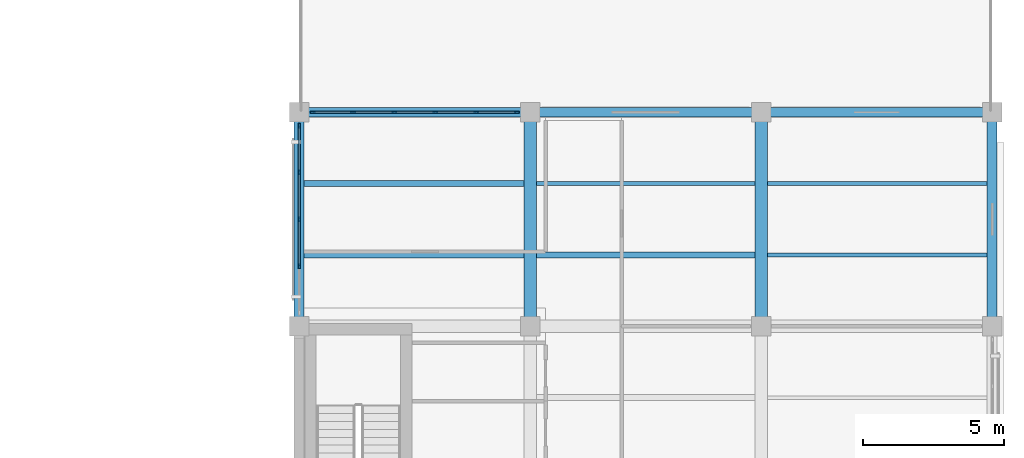
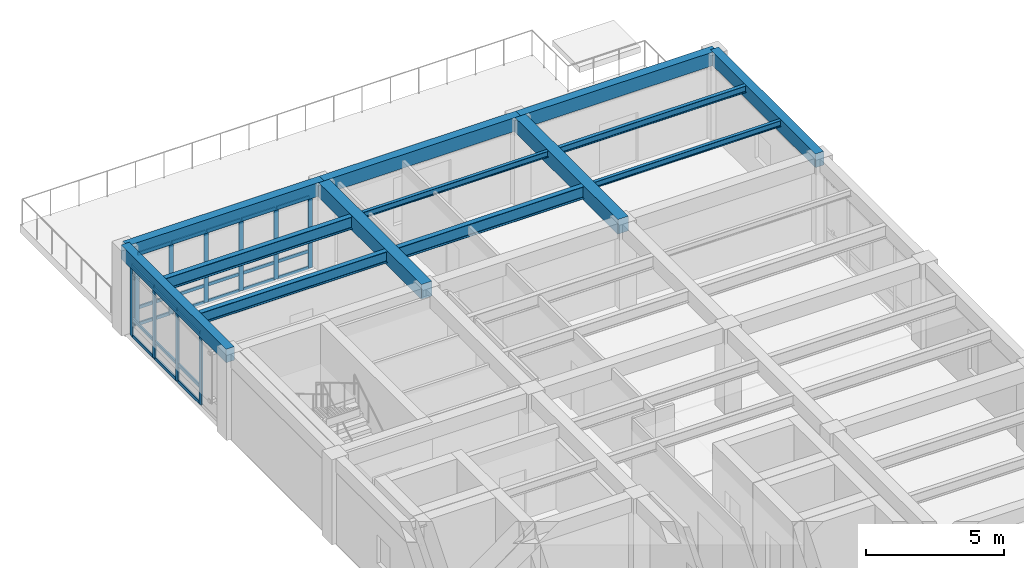
# One storey, part 4 of 11: 34 members, 13 beams, 2 elements without a shape of their own.
"""IFC4 building model written with IfcOpenShell, lengths in metres."""

from ifc_helpers import new_model, si_unit, direction, frame, origin, origin_2d, place, context, subcontext, project, spatial, rectangle, i_section, extrude, material, material_profile, profile_set, type_object, element, aggregate, save


model = new_model("IFC4")

# Units and contexts
model_context = context("Model", 3, precision=1e-05, world=origin(), true_north=direction((0.0, 1.0)))
body_context = subcontext(model_context, "Body", "Model", "MODEL_VIEW")
ifc_project = project(units=[si_unit("LENGTHUNIT", "METRE"), si_unit("AREAUNIT", "SQUARE_METRE"), si_unit("VOLUMEUNIT", "CUBIC_METRE"), si_unit("PLANEANGLEUNIT", "RADIAN"), si_unit("MASSUNIT", "GRAM", prefix="KILO")], contexts=[model_context])

# Site, building, storey
site_placement = place(None, origin())
site = spatial("IfcSite", under=ifc_project, at=site_placement, CompositionType="ELEMENT")
building_placement = place(site_placement, origin())
building = spatial("IfcBuilding", under=site, at=building_placement, Name="Qandaris Square Conservatory and Botanical Centre", CompositionType="ELEMENT")
storey_placement = place(building_placement, frame((0.0, 0.0, 66.199951171875)))
storey = spatial("IfcBuildingStorey", under=building, at=storey_placement, Name="L15", CompositionType="ELEMENT", Elevation=66.199951171875)

# Beams
ifc_material_1 = material(Name="Steel S355", Category="steel")
ifc_material_profile_1 = material_profile(ifc_material_1, i_section(OverallWidth=0.199951171875, OverallDepth=0.5, WebThickness=0.01025390625, FlangeThickness=0.01611328125, FilletRadius=0.02099609375, at=origin_2d()), Name="IPE 500")
ifc_profile_set_1 = profile_set([ifc_material_profile_1], Name="Steel S355")
beam_type_1 = type_object("IfcBeamType", Name="Composite Gallery Joist IPE 500", PredefinedType="JOIST", material=ifc_profile_set_1)
beam_1_placement = place(storey_placement, frame((139.375, 49.533203125, 3.5), z_axis=(1.0, 0.0, 0.0), x_axis=(0.0, 1.0, 0.0)))
element("IfcBeam", 1, at=beam_1_placement, inside=storey, type_object=beam_type_1, Name="L15 Composite Joist 2953", PredefinedType="JOIST", context=body_context, shape_type="SweptSolid", body=[
    extrude(i_section(OverallWidth=0.199951171875, OverallDepth=0.5, WebThickness=0.01025390625, FlangeThickness=0.01611328125, FilletRadius=0.02099609375, at=origin_2d()), origin(), (0.0, 0.0, 1.0), 7.800048828125),
])
ifc_material_profile_2 = material_profile(ifc_material_1, i_section(OverallWidth=0.14990234375, OverallDepth=0.300048828125, WebThickness=0.007080078125, FlangeThickness=0.0107421875, FilletRadius=0.014892578125, at=origin_2d()), Name="IPE 300")
ifc_profile_set_2 = profile_set([ifc_material_profile_2], Name="Steel S355")
beam_type_2 = type_object("IfcBeamType", Name="Composite Lab Joist IPE 300", PredefinedType="JOIST", material=ifc_profile_set_2)
beam_2_placement = place(storey_placement, frame((155.824951171875, 52.066650390625, 3.60009765625), z_axis=(1.0, 0.0, 0.0), x_axis=(0.0, 1.0, 0.0)))
element("IfcBeam", 2, at=beam_2_placement, inside=storey, type_object=beam_type_2, Name="L15 Composite Joist 2972", PredefinedType="JOIST", context=body_context, shape_type="SweptSolid", body=[
    extrude(i_section(OverallWidth=0.14990234375, OverallDepth=0.300048828125, WebThickness=0.007080078125, FlangeThickness=0.0107421875, FilletRadius=0.014892578125, at=origin_2d()), origin(), (0.0, 0.0, 1.0), 7.800048828125),
])

# Curtain wall, members
ifc_material_2 = material(Name="Anodised Aluminium", Category="aluminium")
curtain_wall_type_1 = type_object("IfcCurtainWallType", Name="Unitised Curtain Wall CW-3-730x316", PredefinedType="USERDEFINED", material=ifc_material_2)
curtain_wall_1_placement = place(storey_placement, origin())
curtain_wall_1 = element("IfcCurtainWall", 3, at=curtain_wall_1_placement, inside=storey, type_object=curtain_wall_type_1, Name="Curtain Wall CW-TWR-L15-3-3", ObjectType="GLAZED CURTAIN WALL", PredefinedType="USERDEFINED")
ifc_material_profile_3 = material_profile(ifc_material_2, rectangle(XDim=0.06494140625, YDim=0.179931640625, at=origin_2d()), Name="ALU-MUL 65x180")
ifc_profile_set_3 = profile_set([ifc_material_profile_3], Name="Anodised Aluminium")
member_type_1 = type_object("IfcMemberType", Name="Curtain Wall Mullion 65x180", PredefinedType="MULLION", material=ifc_profile_set_3)
member_1_placement = place(storey_placement, frame((146.91748046875, 54.60009765625, 0.0), z_axis=(0.0, 0.0, 1.0), x_axis=(0.0, -1.0, 0.0)))
member_1 = element("IfcMember", 4, at=member_1_placement, type_object=member_type_1, Name="CW-3-730x316 mullion 1", PredefinedType="MULLION", context=body_context, shape_type="SweptSolid", body=[
    extrude(rectangle(XDim=0.06494140625, YDim=0.179931640625, at=origin_2d()), origin(), (0.0, 0.0, 1.0), 3.16015625),
])
member_2_placement = place(storey_placement, frame((145.489990234375, 54.60009765625, 0.0), z_axis=(0.0, 0.0, 1.0), x_axis=(0.0, -1.0, 0.0)))
member_2 = element("IfcMember", 5, at=member_2_placement, type_object=member_type_1, Name="CW-3-730x316 mullion 2", PredefinedType="MULLION", context=body_context, shape_type="SweptSolid", body=[
    extrude(rectangle(XDim=0.06494140625, YDim=0.179931640625, at=origin_2d()), origin(), (0.0, 0.0, 1.0), 3.16015625),
])
member_3_placement = place(storey_placement, frame((144.030029296875, 54.60009765625, 0.0), z_axis=(0.0, 0.0, 1.0), x_axis=(0.0, -1.0, 0.0)))
member_3 = element("IfcMember", 6, at=member_3_placement, type_object=member_type_1, Name="CW-3-730x316 mullion 3", PredefinedType="MULLION", context=body_context, shape_type="SweptSolid", body=[
    extrude(rectangle(XDim=0.06494140625, YDim=0.179931640625, at=origin_2d()), origin(), (0.0, 0.0, 1.0), 3.16015625),
])
member_4_placement = place(storey_placement, frame((142.570068359375, 54.60009765625, 0.0), z_axis=(0.0, 0.0, 1.0), x_axis=(0.0, -1.0, 0.0)))
member_4 = element("IfcMember", 7, at=member_4_placement, type_object=member_type_1, Name="CW-3-730x316 mullion 4", PredefinedType="MULLION", context=body_context, shape_type="SweptSolid", body=[
    extrude(rectangle(XDim=0.06494140625, YDim=0.179931640625, at=origin_2d()), origin(), (0.0, 0.0, 1.0), 3.16015625),
])
member_5_placement = place(storey_placement, frame((141.110107421875, 54.60009765625, 0.0), z_axis=(0.0, 0.0, 1.0), x_axis=(0.0, -1.0, 0.0)))
member_5 = element("IfcMember", 8, at=member_5_placement, type_object=member_type_1, Name="CW-3-730x316 mullion 5", PredefinedType="MULLION", context=body_context, shape_type="SweptSolid", body=[
    extrude(rectangle(XDim=0.06494140625, YDim=0.179931640625, at=origin_2d()), origin(), (0.0, 0.0, 1.0), 3.16015625),
])
member_6_placement = place(storey_placement, frame((139.6826171875, 54.60009765625, 0.0), z_axis=(0.0, 0.0, 1.0), x_axis=(0.0, -1.0, 0.0)))
member_6 = element("IfcMember", 9, at=member_6_placement, type_object=member_type_1, Name="CW-3-730x316 mullion 6", PredefinedType="MULLION", context=body_context, shape_type="SweptSolid", body=[
    extrude(rectangle(XDim=0.06494140625, YDim=0.179931640625, at=origin_2d()), origin(), (0.0, 0.0, 1.0), 3.16015625),
])

curtain_wall_type_2 = type_object("IfcCurtainWallType", Name="Unitised Curtain Wall CW-4-670x316", PredefinedType="USERDEFINED", material=ifc_material_2)
curtain_wall_2_placement = place(storey_placement, origin())
curtain_wall_2 = element("IfcCurtainWall", 10, at=curtain_wall_2_placement, inside=storey, type_object=curtain_wall_type_2, Name="Curtain Wall CW-TWR-L15-4-1", ObjectType="GLAZED CURTAIN WALL", PredefinedType="USERDEFINED")
member_7_placement = place(storey_placement, frame((139.199951171875, 54.117431640625, 0.0), z_axis=(0.0, 0.0, 1.0), x_axis=(1.0, 0.0, 0.0)))
member_7 = element("IfcMember", 11, at=member_7_placement, type_object=member_type_1, Name="CW-4-670x316 mullion 1", PredefinedType="MULLION", context=body_context, shape_type="SweptSolid", body=[
    extrude(rectangle(XDim=0.06494140625, YDim=0.179931640625, at=origin_2d()), origin(), (0.0, 0.0, 1.0), 3.16015625),
])
member_8_placement = place(storey_placement, frame((139.199951171875, 52.47509765625, 0.0), z_axis=(0.0, 0.0, 1.0), x_axis=(1.0, 0.0, 0.0)))
member_8 = element("IfcMember", 12, at=member_8_placement, type_object=member_type_1, Name="CW-4-670x316 mullion 2", PredefinedType="MULLION", context=body_context, shape_type="SweptSolid", body=[
    extrude(rectangle(XDim=0.06494140625, YDim=0.179931640625, at=origin_2d()), origin(), (0.0, 0.0, 1.0), 3.16015625),
])
member_9_placement = place(storey_placement, frame((139.199951171875, 50.800048828125, 0.0), z_axis=(0.0, 0.0, 1.0), x_axis=(1.0, 0.0, 0.0)))
member_9 = element("IfcMember", 13, at=member_9_placement, type_object=member_type_1, Name="CW-4-670x316 mullion 3", PredefinedType="MULLION", context=body_context, shape_type="SweptSolid", body=[
    extrude(rectangle(XDim=0.06494140625, YDim=0.179931640625, at=origin_2d()), origin(), (0.0, 0.0, 1.0), 3.16015625),
])
member_10_placement = place(storey_placement, frame((139.199951171875, 49.125, 0.0), z_axis=(0.0, 0.0, 1.0), x_axis=(1.0, 0.0, 0.0)))
member_10 = element("IfcMember", 14, at=member_10_placement, type_object=member_type_1, Name="CW-4-670x316 mullion 4", PredefinedType="MULLION", context=body_context, shape_type="SweptSolid", body=[
    extrude(rectangle(XDim=0.06494140625, YDim=0.179931640625, at=origin_2d()), origin(), (0.0, 0.0, 1.0), 3.16015625),
])

# Member
ifc_material_profile_4 = material_profile(ifc_material_2, rectangle(XDim=0.06494140625, YDim=0.139892578125, at=origin_2d()), Name="ALU-TRN 65x140")
ifc_profile_set_4 = profile_set([ifc_material_profile_4], Name="Anodised Aluminium")
member_type_2 = type_object("IfcMemberType", Name="Curtain Wall Transom 65x140", PredefinedType="USERDEFINED", material=ifc_profile_set_4)
member_11_placement = place(storey_placement, frame((146.885009765625, 54.60009765625, 0.032470703125), z_axis=(-1.0, 0.0, 0.0), x_axis=(0.0, -1.0, 0.0)))
member_11 = element("IfcMember", 15, at=member_11_placement, type_object=member_type_2, Name="CW-3-730x316 transom 1.1", ObjectType="TRANSOM", PredefinedType="USERDEFINED", context=body_context, shape_type="SweptSolid", body=[
    extrude(rectangle(XDim=0.06494140625, YDim=0.139892578125, at=origin_2d()), origin(), (0.0, 0.0, 1.0), 1.362548828125),
])

member_12_placement = place(storey_placement, frame((146.885009765625, 54.60009765625, 0.758544921875), z_axis=(-1.0, 0.0, 0.0), x_axis=(0.0, -1.0, 0.0)))
member_12 = element("IfcMember", 16, at=member_12_placement, type_object=member_type_2, Name="CW-3-730x316 transom 1.2", ObjectType="TRANSOM", PredefinedType="USERDEFINED", context=body_context, shape_type="SweptSolid", body=[
    extrude(rectangle(XDim=0.06494140625, YDim=0.139892578125, at=origin_2d()), origin(), (0.0, 0.0, 1.0), 1.362548828125),
])

member_13_placement = place(storey_placement, frame((146.885009765625, 54.60009765625, 3.12744140625), z_axis=(-1.0, 0.0, 0.0), x_axis=(0.0, -1.0, 0.0)))
member_13 = element("IfcMember", 17, at=member_13_placement, type_object=member_type_2, Name="CW-3-730x316 transom 1.3", ObjectType="TRANSOM", PredefinedType="USERDEFINED", context=body_context, shape_type="SweptSolid", body=[
    extrude(rectangle(XDim=0.06494140625, YDim=0.139892578125, at=origin_2d()), origin(), (0.0, 0.0, 1.0), 1.362548828125),
])

member_14_placement = place(storey_placement, frame((145.45751953125, 54.60009765625, 0.032470703125), z_axis=(-1.0, 0.0, 0.0), x_axis=(0.0, -1.0, 0.0)))
member_14 = element("IfcMember", 18, at=member_14_placement, type_object=member_type_2, Name="CW-3-730x316 transom 2.1", ObjectType="TRANSOM", PredefinedType="USERDEFINED", context=body_context, shape_type="SweptSolid", body=[
    extrude(rectangle(XDim=0.06494140625, YDim=0.139892578125, at=origin_2d()), origin(), (0.0, 0.0, 1.0), 1.39501953125),
])

member_15_placement = place(storey_placement, frame((145.45751953125, 54.60009765625, 0.758544921875), z_axis=(-1.0, 0.0, 0.0), x_axis=(0.0, -1.0, 0.0)))
member_15 = element("IfcMember", 19, at=member_15_placement, type_object=member_type_2, Name="CW-3-730x316 transom 2.2", ObjectType="TRANSOM", PredefinedType="USERDEFINED", context=body_context, shape_type="SweptSolid", body=[
    extrude(rectangle(XDim=0.06494140625, YDim=0.139892578125, at=origin_2d()), origin(), (0.0, 0.0, 1.0), 1.39501953125),
])

member_16_placement = place(storey_placement, frame((145.45751953125, 54.60009765625, 3.12744140625), z_axis=(-1.0, 0.0, 0.0), x_axis=(0.0, -1.0, 0.0)))
member_16 = element("IfcMember", 20, at=member_16_placement, type_object=member_type_2, Name="CW-3-730x316 transom 2.3", ObjectType="TRANSOM", PredefinedType="USERDEFINED", context=body_context, shape_type="SweptSolid", body=[
    extrude(rectangle(XDim=0.06494140625, YDim=0.139892578125, at=origin_2d()), origin(), (0.0, 0.0, 1.0), 1.39501953125),
])

member_17_placement = place(storey_placement, frame((143.99755859375, 54.60009765625, 0.032470703125), z_axis=(-1.0, 0.0, 0.0), x_axis=(0.0, -1.0, 0.0)))
member_17 = element("IfcMember", 21, at=member_17_placement, type_object=member_type_2, Name="CW-3-730x316 transom 3.1", ObjectType="TRANSOM", PredefinedType="USERDEFINED", context=body_context, shape_type="SweptSolid", body=[
    extrude(rectangle(XDim=0.06494140625, YDim=0.139892578125, at=origin_2d()), origin(), (0.0, 0.0, 1.0), 1.39501953125),
])

member_18_placement = place(storey_placement, frame((143.99755859375, 54.60009765625, 0.758544921875), z_axis=(-1.0, 0.0, 0.0), x_axis=(0.0, -1.0, 0.0)))
member_18 = element("IfcMember", 22, at=member_18_placement, type_object=member_type_2, Name="CW-3-730x316 transom 3.2", ObjectType="TRANSOM", PredefinedType="USERDEFINED", context=body_context, shape_type="SweptSolid", body=[
    extrude(rectangle(XDim=0.06494140625, YDim=0.139892578125, at=origin_2d()), origin(), (0.0, 0.0, 1.0), 1.39501953125),
])

member_19_placement = place(storey_placement, frame((143.99755859375, 54.60009765625, 3.12744140625), z_axis=(-1.0, 0.0, 0.0), x_axis=(0.0, -1.0, 0.0)))
member_19 = element("IfcMember", 23, at=member_19_placement, type_object=member_type_2, Name="CW-3-730x316 transom 3.3", ObjectType="TRANSOM", PredefinedType="USERDEFINED", context=body_context, shape_type="SweptSolid", body=[
    extrude(rectangle(XDim=0.06494140625, YDim=0.139892578125, at=origin_2d()), origin(), (0.0, 0.0, 1.0), 1.39501953125),
])

member_20_placement = place(storey_placement, frame((142.53759765625, 54.60009765625, 0.032470703125), z_axis=(-1.0, 0.0, 0.0), x_axis=(0.0, -1.0, 0.0)))
member_20 = element("IfcMember", 24, at=member_20_placement, type_object=member_type_2, Name="CW-3-730x316 transom 4.1", ObjectType="TRANSOM", PredefinedType="USERDEFINED", context=body_context, shape_type="SweptSolid", body=[
    extrude(rectangle(XDim=0.06494140625, YDim=0.139892578125, at=origin_2d()), origin(), (0.0, 0.0, 1.0), 1.39501953125),
])

member_21_placement = place(storey_placement, frame((142.53759765625, 54.60009765625, 0.758544921875), z_axis=(-1.0, 0.0, 0.0), x_axis=(0.0, -1.0, 0.0)))
member_21 = element("IfcMember", 25, at=member_21_placement, type_object=member_type_2, Name="CW-3-730x316 transom 4.2", ObjectType="TRANSOM", PredefinedType="USERDEFINED", context=body_context, shape_type="SweptSolid", body=[
    extrude(rectangle(XDim=0.06494140625, YDim=0.139892578125, at=origin_2d()), origin(), (0.0, 0.0, 1.0), 1.39501953125),
])

member_22_placement = place(storey_placement, frame((142.53759765625, 54.60009765625, 3.12744140625), z_axis=(-1.0, 0.0, 0.0), x_axis=(0.0, -1.0, 0.0)))
member_22 = element("IfcMember", 26, at=member_22_placement, type_object=member_type_2, Name="CW-3-730x316 transom 4.3", ObjectType="TRANSOM", PredefinedType="USERDEFINED", context=body_context, shape_type="SweptSolid", body=[
    extrude(rectangle(XDim=0.06494140625, YDim=0.139892578125, at=origin_2d()), origin(), (0.0, 0.0, 1.0), 1.39501953125),
])

member_23_placement = place(storey_placement, frame((141.077392578125, 54.60009765625, 0.032470703125), z_axis=(-1.0, 0.0, 0.0), x_axis=(0.0, -1.0, 0.0)))
member_23 = element("IfcMember", 27, at=member_23_placement, type_object=member_type_2, Name="CW-3-730x316 transom 5.1", ObjectType="TRANSOM", PredefinedType="USERDEFINED", context=body_context, shape_type="SweptSolid", body=[
    extrude(rectangle(XDim=0.06494140625, YDim=0.139892578125, at=origin_2d()), origin(), (0.0, 0.0, 1.0), 1.3623046875),
])

member_24_placement = place(storey_placement, frame((141.077392578125, 54.60009765625, 0.758544921875), z_axis=(-1.0, 0.0, 0.0), x_axis=(0.0, -1.0, 0.0)))
member_24 = element("IfcMember", 28, at=member_24_placement, type_object=member_type_2, Name="CW-3-730x316 transom 5.2", ObjectType="TRANSOM", PredefinedType="USERDEFINED", context=body_context, shape_type="SweptSolid", body=[
    extrude(rectangle(XDim=0.06494140625, YDim=0.139892578125, at=origin_2d()), origin(), (0.0, 0.0, 1.0), 1.3623046875),
])

member_25_placement = place(storey_placement, frame((141.077392578125, 54.60009765625, 3.12744140625), z_axis=(-1.0, 0.0, 0.0), x_axis=(0.0, -1.0, 0.0)))
member_25 = element("IfcMember", 29, at=member_25_placement, type_object=member_type_2, Name="CW-3-730x316 transom 5.3", ObjectType="TRANSOM", PredefinedType="USERDEFINED", context=body_context, shape_type="SweptSolid", body=[
    extrude(rectangle(XDim=0.06494140625, YDim=0.139892578125, at=origin_2d()), origin(), (0.0, 0.0, 1.0), 1.3623046875),
])

aggregate(curtain_wall_1, [member_1, member_2, member_3, member_4, member_5, member_6, member_11, member_12, member_13, member_14, member_15, member_16, member_17, member_18, member_19, member_20, member_21, member_22, member_23, member_24, member_25])

member_26_placement = place(storey_placement, frame((139.199951171875, 54.0849609375, 0.032470703125), z_axis=(0.0, -1.0, 0.0), x_axis=(1.0, 0.0, 0.0)))
member_26 = element("IfcMember", 30, at=member_26_placement, type_object=member_type_2, Name="CW-4-670x316 transom 1.1", ObjectType="TRANSOM", PredefinedType="USERDEFINED", context=body_context, shape_type="SweptSolid", body=[
    extrude(rectangle(XDim=0.06494140625, YDim=0.139892578125, at=origin_2d()), origin(), (0.0, 0.0, 1.0), 1.577392578125),
])

member_27_placement = place(storey_placement, frame((139.199951171875, 54.0849609375, 0.758544921875), z_axis=(0.0, -1.0, 0.0), x_axis=(1.0, 0.0, 0.0)))
member_27 = element("IfcMember", 31, at=member_27_placement, type_object=member_type_2, Name="CW-4-670x316 transom 1.2", ObjectType="TRANSOM", PredefinedType="USERDEFINED", context=body_context, shape_type="SweptSolid", body=[
    extrude(rectangle(XDim=0.06494140625, YDim=0.139892578125, at=origin_2d()), origin(), (0.0, 0.0, 1.0), 1.577392578125),
])

member_28_placement = place(storey_placement, frame((139.199951171875, 54.0849609375, 3.12744140625), z_axis=(0.0, -1.0, 0.0), x_axis=(1.0, 0.0, 0.0)))
member_28 = element("IfcMember", 32, at=member_28_placement, type_object=member_type_2, Name="CW-4-670x316 transom 1.3", ObjectType="TRANSOM", PredefinedType="USERDEFINED", context=body_context, shape_type="SweptSolid", body=[
    extrude(rectangle(XDim=0.06494140625, YDim=0.139892578125, at=origin_2d()), origin(), (0.0, 0.0, 1.0), 1.577392578125),
])

member_29_placement = place(storey_placement, frame((139.199951171875, 52.4423828125, 0.032470703125), z_axis=(0.0, -1.0, 0.0), x_axis=(1.0, 0.0, 0.0)))
member_29 = element("IfcMember", 33, at=member_29_placement, type_object=member_type_2, Name="CW-4-670x316 transom 2.1", ObjectType="TRANSOM", PredefinedType="USERDEFINED", context=body_context, shape_type="SweptSolid", body=[
    extrude(rectangle(XDim=0.06494140625, YDim=0.139892578125, at=origin_2d()), origin(), (0.0, 0.0, 1.0), 1.60986328125),
])

member_30_placement = place(storey_placement, frame((139.199951171875, 52.4423828125, 0.758544921875), z_axis=(0.0, -1.0, 0.0), x_axis=(1.0, 0.0, 0.0)))
member_30 = element("IfcMember", 34, at=member_30_placement, type_object=member_type_2, Name="CW-4-670x316 transom 2.2", ObjectType="TRANSOM", PredefinedType="USERDEFINED", context=body_context, shape_type="SweptSolid", body=[
    extrude(rectangle(XDim=0.06494140625, YDim=0.139892578125, at=origin_2d()), origin(), (0.0, 0.0, 1.0), 1.60986328125),
])

member_31_placement = place(storey_placement, frame((139.199951171875, 52.4423828125, 3.12744140625), z_axis=(0.0, -1.0, 0.0), x_axis=(1.0, 0.0, 0.0)))
member_31 = element("IfcMember", 35, at=member_31_placement, type_object=member_type_2, Name="CW-4-670x316 transom 2.3", ObjectType="TRANSOM", PredefinedType="USERDEFINED", context=body_context, shape_type="SweptSolid", body=[
    extrude(rectangle(XDim=0.06494140625, YDim=0.139892578125, at=origin_2d()), origin(), (0.0, 0.0, 1.0), 1.60986328125),
])

member_32_placement = place(storey_placement, frame((139.199951171875, 50.767578125, 0.032470703125), z_axis=(0.0, -1.0, 0.0), x_axis=(1.0, 0.0, 0.0)))
member_32 = element("IfcMember", 36, at=member_32_placement, type_object=member_type_2, Name="CW-4-670x316 transom 3.1", ObjectType="TRANSOM", PredefinedType="USERDEFINED", context=body_context, shape_type="SweptSolid", body=[
    extrude(rectangle(XDim=0.06494140625, YDim=0.139892578125, at=origin_2d()), origin(), (0.0, 0.0, 1.0), 1.610107421875),
])

member_33_placement = place(storey_placement, frame((139.199951171875, 50.767578125, 0.758544921875), z_axis=(0.0, -1.0, 0.0), x_axis=(1.0, 0.0, 0.0)))
member_33 = element("IfcMember", 37, at=member_33_placement, type_object=member_type_2, Name="CW-4-670x316 transom 3.2", ObjectType="TRANSOM", PredefinedType="USERDEFINED", context=body_context, shape_type="SweptSolid", body=[
    extrude(rectangle(XDim=0.06494140625, YDim=0.139892578125, at=origin_2d()), origin(), (0.0, 0.0, 1.0), 1.610107421875),
])

member_34_placement = place(storey_placement, frame((139.199951171875, 50.767578125, 3.12744140625), z_axis=(0.0, -1.0, 0.0), x_axis=(1.0, 0.0, 0.0)))
member_34 = element("IfcMember", 38, at=member_34_placement, type_object=member_type_2, Name="CW-4-670x316 transom 3.3", ObjectType="TRANSOM", PredefinedType="USERDEFINED", context=body_context, shape_type="SweptSolid", body=[
    extrude(rectangle(XDim=0.06494140625, YDim=0.139892578125, at=origin_2d()), origin(), (0.0, 0.0, 1.0), 1.610107421875),
])

aggregate(curtain_wall_2, [member_7, member_8, member_9, member_10, member_26, member_27, member_28, member_29, member_30, member_31, member_32, member_33, member_34])

# Beams
ifc_material_profile_5 = material_profile(ifc_material_1, i_section(OverallWidth=0.2099609375, OverallDepth=0.550048828125, WebThickness=0.010986328125, FlangeThickness=0.01708984375, FilletRadius=0.02392578125, at=origin_2d()), Name="IPE 550")
ifc_profile_set_5 = profile_set([ifc_material_profile_5], Name="Steel S355")
beam_type_3 = type_object("IfcBeamType", Name="Long-Span Foyer Joist IPE 550", PredefinedType="JOIST", material=ifc_profile_set_5)
beam_3_placement = place(storey_placement, frame((139.375, 52.066650390625, 3.47509765625), z_axis=(1.0, 0.0, 0.0), x_axis=(0.0, 1.0, 0.0)))
element("IfcBeam", 39, at=beam_3_placement, inside=storey, type_object=beam_type_3, Name="L15 Composite Joist 2954", PredefinedType="JOIST", context=body_context, shape_type="SweptSolid", body=[
    extrude(i_section(OverallWidth=0.2099609375, OverallDepth=0.550048828125, WebThickness=0.010986328125, FlangeThickness=0.01708984375, FilletRadius=0.02392578125, at=origin_2d()), origin(), (0.0, 0.0, 1.0), 7.800048828125),
])
beam_4_placement = place(storey_placement, frame((147.625, 49.533203125, 3.47509765625), z_axis=(1.0, 0.0, 0.0), x_axis=(0.0, 1.0, 0.0)))
element("IfcBeam", 40, at=beam_4_placement, inside=storey, type_object=beam_type_3, Name="L15 Composite Joist 2961", PredefinedType="JOIST", context=body_context, shape_type="SweptSolid", body=[
    extrude(i_section(OverallWidth=0.2099609375, OverallDepth=0.550048828125, WebThickness=0.010986328125, FlangeThickness=0.01708984375, FilletRadius=0.02392578125, at=origin_2d()), origin(), (0.0, 0.0, 1.0), 7.75),
])
ifc_material_3 = material(Name="Concrete C50/60", Category="concrete")
ifc_material_profile_6 = material_profile(ifc_material_3, rectangle(XDim=0.35009765625, YDim=0.60009765625, at=origin_2d()), Name="RC-SP 350x600")
ifc_profile_set_6 = profile_set([ifc_material_profile_6], Name="Concrete C50/60")
beam_type_4 = type_object("IfcBeamType", Name="RC Edge Spandrel Beam 350x600", PredefinedType="SPANDREL", material=ifc_profile_set_6)
beam_5_placement = place(storey_placement, frame((139.199951171875, 54.60009765625, 3.4599609375), z_axis=(1.0, 0.0, 0.0), x_axis=(0.0, 1.0, 0.0)))
element("IfcBeam", 41, at=beam_5_placement, inside=storey, type_object=beam_type_4, Name="L15 Frame Beam 2921", PredefinedType="SPANDREL", context=body_context, shape_type="SweptSolid", body=[
    extrude(rectangle(XDim=0.35009765625, YDim=0.60009765625, at=origin_2d()), origin(), (0.0, 0.0, 1.0), 8.199951171875),
])
beam_6_placement = place(storey_placement, frame((147.39990234375, 54.60009765625, 3.4599609375), z_axis=(1.0, 0.0, 0.0), x_axis=(0.0, 1.0, 0.0)))
element("IfcBeam", 42, at=beam_6_placement, inside=storey, type_object=beam_type_4, Name="L15 Frame Beam 2922", PredefinedType="SPANDREL", context=body_context, shape_type="SweptSolid", body=[
    extrude(rectangle(XDim=0.35009765625, YDim=0.60009765625, at=origin_2d()), origin(), (0.0, 0.0, 1.0), 8.2001953125),
])
beam_7_placement = place(storey_placement, frame((155.60009765625, 54.60009765625, 3.4599609375), z_axis=(1.0, 0.0, 0.0), x_axis=(0.0, 1.0, 0.0)))
element("IfcBeam", 43, at=beam_7_placement, inside=storey, type_object=beam_type_4, Name="L15 Frame Beam 2923", PredefinedType="SPANDREL", context=body_context, shape_type="SweptSolid", body=[
    extrude(rectangle(XDim=0.35009765625, YDim=0.60009765625, at=origin_2d()), origin(), (0.0, 0.0, 1.0), 8.199951171875),
])
for number, where, z_axis, x_axis, name in (
    (44, (139.199951171875, 47.0, 3.4599609375), (0.0, 1.0, 0.0), (-1.0, 0.0, 0.0), "L15 Frame Beam 2930"),
    (45, (163.800048828125, 47.0, 3.4599609375), (0.0, 1.0, 0.0), (-1.0, 0.0, 0.0), "L15 Frame Beam 2945"),
):
    element("IfcBeam", number, at=place(storey_placement, frame(where, z_axis=z_axis, x_axis=x_axis)), inside=storey, type_object=beam_type_4, Name=name, PredefinedType="SPANDREL", context=body_context, shape_type="SweptSolid", body=[
        extrude(rectangle(XDim=0.35009765625, YDim=0.60009765625, at=origin_2d()), origin(), (0.0, 0.0, 1.0), 7.60009765625),
    ])
ifc_material_profile_7 = material_profile(ifc_material_3, rectangle(XDim=0.449951171875, YDim=0.64990234375, at=origin_2d()), Name="RC-BM 450x650")
ifc_profile_set_7 = profile_set([ifc_material_profile_7], Name="Concrete C50/60")
beam_type_5 = type_object("IfcBeamType", Name="RC Floor Girder 450x650", PredefinedType="BEAM", material=ifc_profile_set_7)
for number, where, z_axis, x_axis, name in (
    (46, (147.39990234375, 47.0, 3.43505859375), (0.0, 1.0, 0.0), (-1.0, 0.0, 0.0), "L15 Frame Beam 2935"),
    (47, (155.60009765625, 47.0, 3.43505859375), (0.0, 1.0, 0.0), (-1.0, 0.0, 0.0), "L15 Frame Beam 2940"),
):
    element("IfcBeam", number, at=place(storey_placement, frame(where, z_axis=z_axis, x_axis=x_axis)), inside=storey, type_object=beam_type_5, Name=name, PredefinedType="BEAM", context=body_context, shape_type="SweptSolid", body=[
        extrude(rectangle(XDim=0.449951171875, YDim=0.64990234375, at=origin_2d()), origin(), (0.0, 0.0, 1.0), 7.60009765625),
    ])
ifc_material_profile_8 = material_profile(ifc_material_1, i_section(OverallWidth=0.135009765625, OverallDepth=0.27001953125, WebThickness=0.006591796875, FlangeThickness=0.01025390625, FilletRadius=0.014892578125, at=origin_2d()), Name="IPE 270")
ifc_profile_set_8 = profile_set([ifc_material_profile_8], Name="Steel S355")
beam_type_6 = type_object("IfcBeamType", Name="Steel Floor Joist IPE 270", PredefinedType="JOIST", material=ifc_profile_set_8)
beam_8_placement = place(storey_placement, frame((147.625, 52.066650390625, 3.614990234375), z_axis=(1.0, 0.0, 0.0), x_axis=(0.0, 1.0, 0.0)))
element("IfcBeam", 48, at=beam_8_placement, inside=storey, type_object=beam_type_6, Name="L15 Composite Joist 2962", PredefinedType="JOIST", context=body_context, shape_type="SweptSolid", body=[
    extrude(i_section(OverallWidth=0.135009765625, OverallDepth=0.27001953125, WebThickness=0.006591796875, FlangeThickness=0.01025390625, FilletRadius=0.014892578125, at=origin_2d()), origin(), (0.0, 0.0, 1.0), 7.75),
])
beam_9_placement = place(storey_placement, frame((155.824951171875, 49.533203125, 3.614990234375), z_axis=(1.0, 0.0, 0.0), x_axis=(0.0, 1.0, 0.0)))
element("IfcBeam", 49, at=beam_9_placement, inside=storey, type_object=beam_type_6, Name="L15 Composite Joist 2971", PredefinedType="JOIST", context=body_context, shape_type="SweptSolid", body=[
    extrude(i_section(OverallWidth=0.135009765625, OverallDepth=0.27001953125, WebThickness=0.006591796875, FlangeThickness=0.01025390625, FilletRadius=0.014892578125, at=origin_2d()), origin(), (0.0, 0.0, 1.0), 7.800048828125),
])

save(model, "model.ifc")
